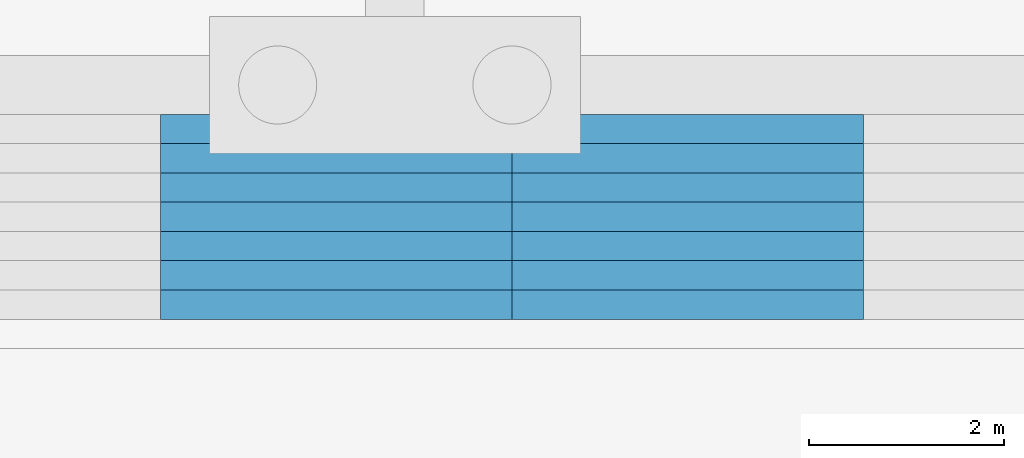
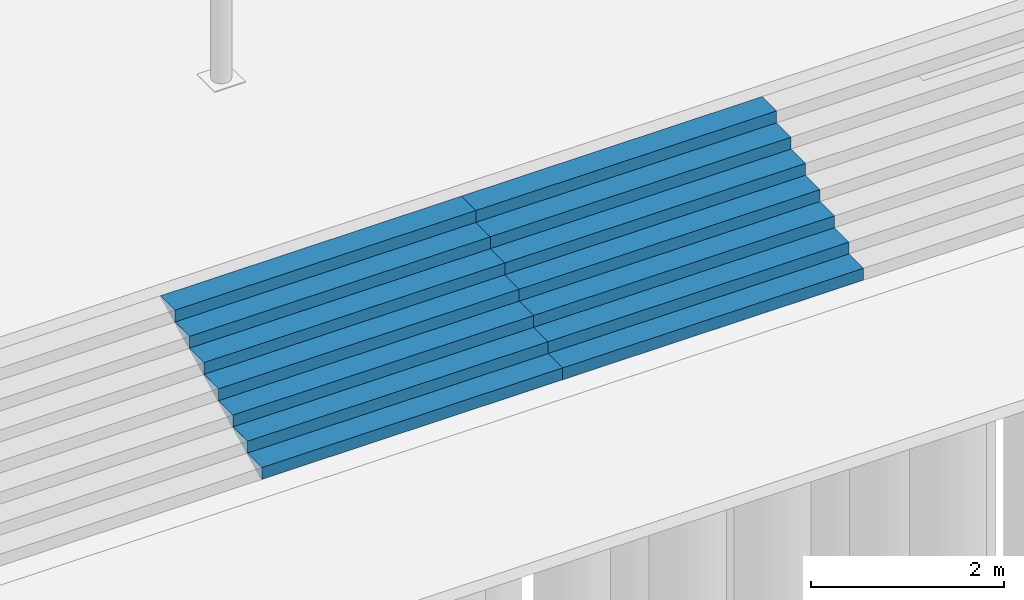
# One storey, part 77 of 129: 2 stair flights, 1 element without a shape of its own.
"""IFC4 building model written with IfcOpenShell, lengths in metres."""

from ifc_helpers import new_model, si_unit, direction, frame, origin, place, context, subcontext, project, spatial, faceted_brep, material, type_object, element, aggregate, save


model = new_model("IFC4")

# Units and contexts
model_context = context("Model", 3, precision=1e-05, world=origin(), true_north=direction((0.0, 1.0)))
body_context = subcontext(model_context, "Body", "Model", "MODEL_VIEW")
ifc_project = project(units=[si_unit("LENGTHUNIT", "METRE"), si_unit("AREAUNIT", "SQUARE_METRE"), si_unit("VOLUMEUNIT", "CUBIC_METRE"), si_unit("PLANEANGLEUNIT", "RADIAN"), si_unit("MASSUNIT", "GRAM", prefix="KILO")], contexts=[model_context])

# Site, building, storey
site_placement = place(None, origin())
site = spatial("IfcSite", under=ifc_project, at=site_placement, CompositionType="ELEMENT")
building_placement = place(site_placement, origin())
building = spatial("IfcBuilding", under=site, at=building_placement, Name="Kiln Court Media Centre", CompositionType="ELEMENT")
storey_placement = place(building_placement, origin())
storey = spatial("IfcBuildingStorey", under=building, at=storey_placement, Name="L00", CompositionType="ELEMENT", Elevation=0.0)

# Stair, stair flights
ifc_material_1 = material(Name="Concrete C30/37", Category="concrete")
stair_type = type_object("IfcStairType", Name="Concrete C30/37 forecourt steps", PredefinedType="STRAIGHT_RUN_STAIR", material=ifc_material_1)
stair_placement = place(storey_placement, origin())
stair = element("IfcStair", 1, at=stair_placement, inside=storey, type_object=stair_type, Name="Concrete C30/37 forecourt steps", PredefinedType="STRAIGHT_RUN_STAIR")
ifc_material_2 = material(Name="Concrete C30/37", Category="concrete")
stair_flight_type = type_object("IfcStairFlightType", Name="Concrete C30/37 forecourt steps flight", PredefinedType="STRAIGHT", material=ifc_material_2)
stair_flight_1_placement = place(storey_placement, frame((83.39990234375, 16.199951171875, -1.199951171875), z_axis=(0.0, 0.0, 1.0), x_axis=(0.0, 1.0, 0.0)))
stair_flight_1 = element("IfcStairFlight", 2, at=stair_flight_1_placement, type_object=stair_flight_type, Name="ST-E1 flight 5", NumberOfRisers=8, NumberOfTreads=7, PredefinedType="STRAIGHT", RiserHeight=0.15, TreadLength=0.3, context=body_context, shape_type="Brep", body=[
    faceted_brep([(0.044677734375, -1.800048828125, 0.0), (2.10009765625, -1.800048828125, 1.027587890625), (2.10009765625, -1.800048828125, 1.050048828125), (1.800048828125, -1.800048828125, 1.050048828125), (1.800048828125, -1.800048828125, 0.89990234375), (1.5, -1.800048828125, 0.89990234375), (1.5, -1.800048828125, 0.75), (1.199951171875, -1.800048828125, 0.75), (1.199951171875, -1.800048828125, 0.60009765625), (0.89990234375, -1.800048828125, 0.60009765625), (0.89990234375, -1.800048828125, 0.449951171875), (0.60009765625, -1.800048828125, 0.449951171875), (0.60009765625, -1.800048828125, 0.300048828125), (0.300048828125, -1.800048828125, 0.300048828125), (0.300048828125, -1.800048828125, 0.14990234375), (0.0, -1.800048828125, 0.14990234375), (0.0, -1.800048828125, 0.0), (0.0, 1.800048828125, 0.0), (0.0, 1.800048828125, 0.14990234375), (0.300048828125, 1.800048828125, 0.14990234375), (0.300048828125, 1.800048828125, 0.300048828125), (0.60009765625, 1.800048828125, 0.300048828125), (0.60009765625, 1.800048828125, 0.449951171875), (0.89990234375, 1.800048828125, 0.449951171875), (0.89990234375, 1.800048828125, 0.60009765625), (1.199951171875, 1.800048828125, 0.60009765625), (1.199951171875, 1.800048828125, 0.75), (1.5, 1.800048828125, 0.75), (1.5, 1.800048828125, 0.89990234375), (1.800048828125, 1.800048828125, 0.89990234375), (1.800048828125, 1.800048828125, 1.050048828125), (2.10009765625, 1.800048828125, 1.050048828125), (2.10009765625, 1.800048828125, 1.027587890625), (0.044677734375, 1.800048828125, 0.0), (2.10009765625, 0.10009765625, 1.027587890625), (0.044677734375, 0.10009765625, 0.0), (2.10009765625, 0.080078125, 1.027587890625), (0.044677734375, 0.080078125, 0.0), (2.10009765625, 0.06005859375, 1.027587890625), (0.044677734375, 0.06005859375, 0.0), (2.10009765625, 0.0400390625, 1.027587890625), (0.044677734375, 0.0400390625, 0.0), (2.10009765625, 0.02001953125, 1.027587890625), (0.044677734375, 0.02001953125, 0.0), (2.10009765625, 0.0, 1.027587890625), (0.044677734375, 0.0, 0.0), (2.10009765625, -0.02001953125, 1.027587890625), (0.044677734375, -0.02001953125, 0.0), (2.10009765625, -0.0400390625, 1.027587890625), (0.044677734375, -0.0400390625, 0.0), (2.10009765625, -0.06005859375, 1.027587890625), (0.044677734375, -0.06005859375, 0.0), (2.10009765625, -0.080078125, 1.027587890625), (0.044677734375, -0.080078125, 0.0), (2.10009765625, -0.10009765625, 1.027587890625), (0.044677734375, -0.10009765625, 0.0), (2.10009765625, 0.10009765625, 1.050048828125), (2.10009765625, 0.080078125, 1.050048828125), (2.10009765625, 0.06005859375, 1.050048828125), (2.10009765625, 0.0400390625, 1.050048828125), (2.10009765625, 0.02001953125, 1.050048828125), (2.10009765625, 0.0, 1.050048828125), (2.10009765625, -0.02001953125, 1.050048828125), (2.10009765625, -0.0400390625, 1.050048828125), (2.10009765625, -0.06005859375, 1.050048828125), (2.10009765625, -0.080078125, 1.050048828125), (2.10009765625, -0.10009765625, 1.050048828125), (1.800048828125, 0.10009765625, 1.050048828125), (1.800048828125, 0.080078125, 1.050048828125), (1.800048828125, 0.06005859375, 1.050048828125), (1.800048828125, 0.0400390625, 1.050048828125), (1.800048828125, 0.02001953125, 1.050048828125), (1.800048828125, 0.0, 1.050048828125), (1.800048828125, -0.02001953125, 1.050048828125), (1.800048828125, -0.0400390625, 1.050048828125), (1.800048828125, -0.06005859375, 1.050048828125), (1.800048828125, -0.080078125, 1.050048828125), (1.800048828125, -0.10009765625, 1.050048828125), (1.800048828125, 0.10009765625, 0.89990234375), (1.800048828125, 0.080078125, 0.89990234375), (1.800048828125, 0.06005859375, 0.89990234375), (1.800048828125, 0.0400390625, 0.89990234375), (1.800048828125, 0.02001953125, 0.89990234375), (1.800048828125, 0.0, 0.89990234375), (1.800048828125, -0.02001953125, 0.89990234375), (1.800048828125, -0.0400390625, 0.89990234375), (1.800048828125, -0.06005859375, 0.89990234375), (1.800048828125, -0.080078125, 0.89990234375), (1.800048828125, -0.10009765625, 0.89990234375), (1.5, 0.10009765625, 0.89990234375), (1.5, 0.080078125, 0.89990234375), (1.5, 0.06005859375, 0.89990234375), (1.5, 0.0400390625, 0.89990234375), (1.5, 0.02001953125, 0.89990234375), (1.5, 0.0, 0.89990234375), (1.5, -0.02001953125, 0.89990234375), (1.5, -0.0400390625, 0.89990234375), (1.5, -0.06005859375, 0.89990234375), (1.5, -0.080078125, 0.89990234375), (1.5, -0.10009765625, 0.89990234375), (1.5, 0.10009765625, 0.75), (1.5, 0.080078125, 0.75), (1.5, 0.06005859375, 0.75), (1.5, 0.0400390625, 0.75), (1.5, 0.02001953125, 0.75), (1.5, 0.0, 0.75), (1.5, -0.02001953125, 0.75), (1.5, -0.0400390625, 0.75), (1.5, -0.06005859375, 0.75), (1.5, -0.080078125, 0.75), (1.5, -0.10009765625, 0.75), (1.199951171875, 0.10009765625, 0.75), (1.199951171875, 0.080078125, 0.75), (1.199951171875, 0.06005859375, 0.75), (1.199951171875, 0.0400390625, 0.75), (1.199951171875, 0.02001953125, 0.75), (1.199951171875, 0.0, 0.75), (1.199951171875, -0.02001953125, 0.75), (1.199951171875, -0.0400390625, 0.75), (1.199951171875, -0.06005859375, 0.75), (1.199951171875, -0.080078125, 0.75), (1.199951171875, -0.10009765625, 0.75), (1.199951171875, 0.10009765625, 0.60009765625), (1.199951171875, 0.080078125, 0.60009765625), (1.199951171875, 0.06005859375, 0.60009765625), (1.199951171875, 0.0400390625, 0.60009765625), (1.199951171875, 0.02001953125, 0.60009765625), (1.199951171875, 0.0, 0.60009765625), (1.199951171875, -0.02001953125, 0.60009765625), (1.199951171875, -0.0400390625, 0.60009765625), (1.199951171875, -0.06005859375, 0.60009765625), (1.199951171875, -0.080078125, 0.60009765625), (1.199951171875, -0.10009765625, 0.60009765625), (0.89990234375, 0.10009765625, 0.60009765625), (0.89990234375, 0.080078125, 0.60009765625), (0.89990234375, 0.06005859375, 0.60009765625), (0.89990234375, 0.0400390625, 0.60009765625), (0.89990234375, 0.02001953125, 0.60009765625), (0.89990234375, 0.0, 0.60009765625), (0.89990234375, -0.02001953125, 0.60009765625), (0.89990234375, -0.0400390625, 0.60009765625), (0.89990234375, -0.06005859375, 0.60009765625), (0.89990234375, -0.080078125, 0.60009765625), (0.89990234375, -0.10009765625, 0.60009765625), (0.89990234375, 0.10009765625, 0.449951171875), (0.89990234375, 0.080078125, 0.449951171875), (0.89990234375, 0.06005859375, 0.449951171875), (0.89990234375, 0.0400390625, 0.449951171875), (0.89990234375, 0.02001953125, 0.449951171875), (0.89990234375, 0.0, 0.449951171875), (0.89990234375, -0.02001953125, 0.449951171875), (0.89990234375, -0.0400390625, 0.449951171875), (0.89990234375, -0.06005859375, 0.449951171875), (0.89990234375, -0.080078125, 0.449951171875), (0.89990234375, -0.10009765625, 0.449951171875), (0.60009765625, 0.10009765625, 0.449951171875), (0.60009765625, 0.080078125, 0.449951171875), (0.60009765625, 0.06005859375, 0.449951171875), (0.60009765625, 0.0400390625, 0.449951171875), (0.60009765625, 0.02001953125, 0.449951171875), (0.60009765625, 0.0, 0.449951171875), (0.60009765625, -0.02001953125, 0.449951171875), (0.60009765625, -0.0400390625, 0.449951171875), (0.60009765625, -0.06005859375, 0.449951171875), (0.60009765625, -0.080078125, 0.449951171875), (0.60009765625, -0.10009765625, 0.449951171875), (0.60009765625, 0.10009765625, 0.300048828125), (0.60009765625, 0.080078125, 0.300048828125), (0.60009765625, 0.06005859375, 0.300048828125), (0.60009765625, 0.0400390625, 0.300048828125), (0.60009765625, 0.02001953125, 0.300048828125), (0.60009765625, 0.0, 0.300048828125), (0.60009765625, -0.02001953125, 0.300048828125), (0.60009765625, -0.0400390625, 0.300048828125), (0.60009765625, -0.06005859375, 0.300048828125), (0.60009765625, -0.080078125, 0.300048828125), (0.60009765625, -0.10009765625, 0.300048828125), (0.300048828125, 0.10009765625, 0.300048828125), (0.300048828125, 0.080078125, 0.300048828125), (0.300048828125, 0.06005859375, 0.300048828125), (0.300048828125, 0.0400390625, 0.300048828125), (0.300048828125, 0.02001953125, 0.300048828125), (0.300048828125, 0.0, 0.300048828125), (0.300048828125, -0.02001953125, 0.300048828125), (0.300048828125, -0.0400390625, 0.300048828125), (0.300048828125, -0.06005859375, 0.300048828125), (0.300048828125, -0.080078125, 0.300048828125), (0.300048828125, -0.10009765625, 0.300048828125), (0.300048828125, 0.10009765625, 0.14990234375), (0.300048828125, 0.080078125, 0.14990234375), (0.300048828125, 0.06005859375, 0.14990234375), (0.300048828125, 0.0400390625, 0.14990234375), (0.300048828125, 0.02001953125, 0.14990234375), (0.300048828125, 0.0, 0.14990234375), (0.300048828125, -0.02001953125, 0.14990234375), (0.300048828125, -0.0400390625, 0.14990234375), (0.300048828125, -0.06005859375, 0.14990234375), (0.300048828125, -0.080078125, 0.14990234375), (0.300048828125, -0.10009765625, 0.14990234375), (0.0, 0.10009765625, 0.14990234375), (0.0, 0.080078125, 0.14990234375), (0.0, 0.06005859375, 0.14990234375), (0.0, 0.0400390625, 0.14990234375), (0.0, 0.02001953125, 0.14990234375), (0.0, 0.0, 0.14990234375), (0.0, -0.02001953125, 0.14990234375), (0.0, -0.0400390625, 0.14990234375), (0.0, -0.06005859375, 0.14990234375), (0.0, -0.080078125, 0.14990234375), (0.0, -0.10009765625, 0.14990234375), (0.0, 0.10009765625, 0.0), (0.0, 0.080078125, 0.0), (0.0, 0.06005859375, 0.0), (0.0, 0.0400390625, 0.0), (0.0, 0.02001953125, 0.0), (0.0, 0.0, 0.0), (0.0, -0.02001953125, 0.0), (0.0, -0.0400390625, 0.0), (0.0, -0.06005859375, 0.0), (0.0, -0.080078125, 0.0), (0.0, -0.10009765625, 0.0)], [[[0, 1, 2, 3, 4, 5, 6, 7, 8, 9, 10, 11, 12, 13, 14, 15, 16]], [[17, 18, 19, 20, 21, 22, 23, 24, 25, 26, 27, 28, 29, 30, 31, 32, 33]], [[33, 32, 34, 35]], [[35, 34, 36, 37]], [[37, 36, 38, 39]], [[39, 38, 40, 41]], [[41, 40, 42, 43]], [[43, 42, 44, 45]], [[45, 44, 46, 47]], [[47, 46, 48, 49]], [[49, 48, 50, 51]], [[51, 50, 52, 53]], [[53, 52, 54, 55]], [[55, 54, 1, 0]], [[32, 31, 56, 34]], [[34, 56, 57, 36]], [[36, 57, 58, 38]], [[38, 58, 59, 40]], [[40, 59, 60, 42]], [[42, 60, 61, 44]], [[44, 61, 62, 46]], [[46, 62, 63, 48]], [[48, 63, 64, 50]], [[50, 64, 65, 52]], [[52, 65, 66, 54]], [[54, 66, 2, 1]], [[31, 30, 67, 56]], [[56, 67, 68, 57]], [[57, 68, 69, 58]], [[58, 69, 70, 59]], [[59, 70, 71, 60]], [[60, 71, 72, 61]], [[61, 72, 73, 62]], [[62, 73, 74, 63]], [[63, 74, 75, 64]], [[64, 75, 76, 65]], [[65, 76, 77, 66]], [[66, 77, 3, 2]], [[30, 29, 78, 67]], [[67, 78, 79, 68]], [[68, 79, 80, 69]], [[69, 80, 81, 70]], [[70, 81, 82, 71]], [[71, 82, 83, 72]], [[72, 83, 84, 73]], [[73, 84, 85, 74]], [[74, 85, 86, 75]], [[75, 86, 87, 76]], [[76, 87, 88, 77]], [[77, 88, 4, 3]], [[29, 28, 89, 78]], [[78, 89, 90, 79]], [[79, 90, 91, 80]], [[80, 91, 92, 81]], [[81, 92, 93, 82]], [[82, 93, 94, 83]], [[83, 94, 95, 84]], [[84, 95, 96, 85]], [[85, 96, 97, 86]], [[86, 97, 98, 87]], [[87, 98, 99, 88]], [[88, 99, 5, 4]], [[28, 27, 100, 89]], [[89, 100, 101, 90]], [[90, 101, 102, 91]], [[91, 102, 103, 92]], [[92, 103, 104, 93]], [[93, 104, 105, 94]], [[94, 105, 106, 95]], [[95, 106, 107, 96]], [[96, 107, 108, 97]], [[97, 108, 109, 98]], [[98, 109, 110, 99]], [[99, 110, 6, 5]], [[27, 26, 111, 100]], [[100, 111, 112, 101]], [[101, 112, 113, 102]], [[102, 113, 114, 103]], [[103, 114, 115, 104]], [[104, 115, 116, 105]], [[105, 116, 117, 106]], [[106, 117, 118, 107]], [[107, 118, 119, 108]], [[108, 119, 120, 109]], [[109, 120, 121, 110]], [[110, 121, 7, 6]], [[26, 25, 122, 111]], [[111, 122, 123, 112]], [[112, 123, 124, 113]], [[113, 124, 125, 114]], [[114, 125, 126, 115]], [[115, 126, 127, 116]], [[116, 127, 128, 117]], [[117, 128, 129, 118]], [[118, 129, 130, 119]], [[119, 130, 131, 120]], [[120, 131, 132, 121]], [[121, 132, 8, 7]], [[25, 24, 133, 122]], [[122, 133, 134, 123]], [[123, 134, 135, 124]], [[124, 135, 136, 125]], [[125, 136, 137, 126]], [[126, 137, 138, 127]], [[127, 138, 139, 128]], [[128, 139, 140, 129]], [[129, 140, 141, 130]], [[130, 141, 142, 131]], [[131, 142, 143, 132]], [[132, 143, 9, 8]], [[24, 23, 144, 133]], [[133, 144, 145, 134]], [[134, 145, 146, 135]], [[135, 146, 147, 136]], [[136, 147, 148, 137]], [[137, 148, 149, 138]], [[138, 149, 150, 139]], [[139, 150, 151, 140]], [[140, 151, 152, 141]], [[141, 152, 153, 142]], [[142, 153, 154, 143]], [[143, 154, 10, 9]], [[23, 22, 155, 144]], [[144, 155, 156, 145]], [[145, 156, 157, 146]], [[146, 157, 158, 147]], [[147, 158, 159, 148]], [[148, 159, 160, 149]], [[149, 160, 161, 150]], [[150, 161, 162, 151]], [[151, 162, 163, 152]], [[152, 163, 164, 153]], [[153, 164, 165, 154]], [[154, 165, 11, 10]], [[22, 21, 166, 155]], [[155, 166, 167, 156]], [[156, 167, 168, 157]], [[157, 168, 169, 158]], [[158, 169, 170, 159]], [[159, 170, 171, 160]], [[160, 171, 172, 161]], [[161, 172, 173, 162]], [[162, 173, 174, 163]], [[163, 174, 175, 164]], [[164, 175, 176, 165]], [[165, 176, 12, 11]], [[21, 20, 177, 166]], [[166, 177, 178, 167]], [[167, 178, 179, 168]], [[168, 179, 180, 169]], [[169, 180, 181, 170]], [[170, 181, 182, 171]], [[171, 182, 183, 172]], [[172, 183, 184, 173]], [[173, 184, 185, 174]], [[174, 185, 186, 175]], [[175, 186, 187, 176]], [[176, 187, 13, 12]], [[20, 19, 188, 177]], [[177, 188, 189, 178]], [[178, 189, 190, 179]], [[179, 190, 191, 180]], [[180, 191, 192, 181]], [[181, 192, 193, 182]], [[182, 193, 194, 183]], [[183, 194, 195, 184]], [[184, 195, 196, 185]], [[185, 196, 197, 186]], [[186, 197, 198, 187]], [[187, 198, 14, 13]], [[19, 18, 199, 188]], [[188, 199, 200, 189]], [[189, 200, 201, 190]], [[190, 201, 202, 191]], [[191, 202, 203, 192]], [[192, 203, 204, 193]], [[193, 204, 205, 194]], [[194, 205, 206, 195]], [[195, 206, 207, 196]], [[196, 207, 208, 197]], [[197, 208, 209, 198]], [[198, 209, 15, 14]], [[18, 17, 210, 199]], [[199, 210, 211, 200]], [[200, 211, 212, 201]], [[201, 212, 213, 202]], [[202, 213, 214, 203]], [[203, 214, 215, 204]], [[204, 215, 216, 205]], [[205, 216, 217, 206]], [[206, 217, 218, 207]], [[207, 218, 219, 208]], [[208, 219, 220, 209]], [[209, 220, 16, 15]], [[17, 33, 35, 210]], [[210, 35, 37, 211]], [[211, 37, 39, 212]], [[212, 39, 41, 213]], [[213, 41, 43, 214]], [[214, 43, 45, 215]], [[215, 45, 47, 216]], [[216, 47, 49, 217]], [[217, 49, 51, 218]], [[218, 51, 53, 219]], [[219, 53, 55, 220]], [[220, 55, 0, 16]]]),
])
stair_flight_2_placement = place(storey_placement, frame((87.0, 16.199951171875, -1.199951171875), z_axis=(0.0, 0.0, 1.0), x_axis=(0.0, 1.0, 0.0)))
stair_flight_2 = element("IfcStairFlight", 3, at=stair_flight_2_placement, type_object=stair_flight_type, Name="ST-E1 flight 6", NumberOfRisers=8, NumberOfTreads=7, PredefinedType="STRAIGHT", RiserHeight=0.15, TreadLength=0.3, context=body_context, shape_type="Brep", body=[
    faceted_brep([(0.044677734375, -1.800048828125, 0.0), (2.10009765625, -1.800048828125, 1.027587890625), (2.10009765625, -1.800048828125, 1.050048828125), (1.800048828125, -1.800048828125, 1.050048828125), (1.800048828125, -1.800048828125, 0.89990234375), (1.5, -1.800048828125, 0.89990234375), (1.5, -1.800048828125, 0.75), (1.199951171875, -1.800048828125, 0.75), (1.199951171875, -1.800048828125, 0.60009765625), (0.89990234375, -1.800048828125, 0.60009765625), (0.89990234375, -1.800048828125, 0.449951171875), (0.60009765625, -1.800048828125, 0.449951171875), (0.60009765625, -1.800048828125, 0.300048828125), (0.300048828125, -1.800048828125, 0.300048828125), (0.300048828125, -1.800048828125, 0.14990234375), (0.0, -1.800048828125, 0.14990234375), (0.0, -1.800048828125, 0.0), (0.0, 1.800048828125, 0.0), (0.0, 1.800048828125, 0.14990234375), (0.300048828125, 1.800048828125, 0.14990234375), (0.300048828125, 1.800048828125, 0.300048828125), (0.60009765625, 1.800048828125, 0.300048828125), (0.60009765625, 1.800048828125, 0.449951171875), (0.89990234375, 1.800048828125, 0.449951171875), (0.89990234375, 1.800048828125, 0.60009765625), (1.199951171875, 1.800048828125, 0.60009765625), (1.199951171875, 1.800048828125, 0.75), (1.5, 1.800048828125, 0.75), (1.5, 1.800048828125, 0.89990234375), (1.800048828125, 1.800048828125, 0.89990234375), (1.800048828125, 1.800048828125, 1.050048828125), (2.10009765625, 1.800048828125, 1.050048828125), (2.10009765625, 1.800048828125, 1.027587890625), (0.044677734375, 1.800048828125, 0.0), (2.10009765625, 0.10009765625, 1.027587890625), (0.044677734375, 0.10009765625, 0.0), (2.10009765625, 0.080078125, 1.027587890625), (0.044677734375, 0.080078125, 0.0), (2.10009765625, 0.06005859375, 1.027587890625), (0.044677734375, 0.06005859375, 0.0), (2.10009765625, 0.0400390625, 1.027587890625), (0.044677734375, 0.0400390625, 0.0), (2.10009765625, 0.02001953125, 1.027587890625), (0.044677734375, 0.02001953125, 0.0), (2.10009765625, 0.0, 1.027587890625), (0.044677734375, 0.0, 0.0), (2.10009765625, -0.02001953125, 1.027587890625), (0.044677734375, -0.02001953125, 0.0), (2.10009765625, -0.0400390625, 1.027587890625), (0.044677734375, -0.0400390625, 0.0), (2.10009765625, -0.06005859375, 1.027587890625), (0.044677734375, -0.06005859375, 0.0), (2.10009765625, -0.080078125, 1.027587890625), (0.044677734375, -0.080078125, 0.0), (2.10009765625, -0.10009765625, 1.027587890625), (0.044677734375, -0.10009765625, 0.0), (2.10009765625, 0.10009765625, 1.050048828125), (2.10009765625, 0.080078125, 1.050048828125), (2.10009765625, 0.06005859375, 1.050048828125), (2.10009765625, 0.0400390625, 1.050048828125), (2.10009765625, 0.02001953125, 1.050048828125), (2.10009765625, 0.0, 1.050048828125), (2.10009765625, -0.02001953125, 1.050048828125), (2.10009765625, -0.0400390625, 1.050048828125), (2.10009765625, -0.06005859375, 1.050048828125), (2.10009765625, -0.080078125, 1.050048828125), (2.10009765625, -0.10009765625, 1.050048828125), (1.800048828125, 0.10009765625, 1.050048828125), (1.800048828125, 0.080078125, 1.050048828125), (1.800048828125, 0.06005859375, 1.050048828125), (1.800048828125, 0.0400390625, 1.050048828125), (1.800048828125, 0.02001953125, 1.050048828125), (1.800048828125, 0.0, 1.050048828125), (1.800048828125, -0.02001953125, 1.050048828125), (1.800048828125, -0.0400390625, 1.050048828125), (1.800048828125, -0.06005859375, 1.050048828125), (1.800048828125, -0.080078125, 1.050048828125), (1.800048828125, -0.10009765625, 1.050048828125), (1.800048828125, 0.10009765625, 0.89990234375), (1.800048828125, 0.080078125, 0.89990234375), (1.800048828125, 0.06005859375, 0.89990234375), (1.800048828125, 0.0400390625, 0.89990234375), (1.800048828125, 0.02001953125, 0.89990234375), (1.800048828125, 0.0, 0.89990234375), (1.800048828125, -0.02001953125, 0.89990234375), (1.800048828125, -0.0400390625, 0.89990234375), (1.800048828125, -0.06005859375, 0.89990234375), (1.800048828125, -0.080078125, 0.89990234375), (1.800048828125, -0.10009765625, 0.89990234375), (1.5, 0.10009765625, 0.89990234375), (1.5, 0.080078125, 0.89990234375), (1.5, 0.06005859375, 0.89990234375), (1.5, 0.0400390625, 0.89990234375), (1.5, 0.02001953125, 0.89990234375), (1.5, 0.0, 0.89990234375), (1.5, -0.02001953125, 0.89990234375), (1.5, -0.0400390625, 0.89990234375), (1.5, -0.06005859375, 0.89990234375), (1.5, -0.080078125, 0.89990234375), (1.5, -0.10009765625, 0.89990234375), (1.5, 0.10009765625, 0.75), (1.5, 0.080078125, 0.75), (1.5, 0.06005859375, 0.75), (1.5, 0.0400390625, 0.75), (1.5, 0.02001953125, 0.75), (1.5, 0.0, 0.75), (1.5, -0.02001953125, 0.75), (1.5, -0.0400390625, 0.75), (1.5, -0.06005859375, 0.75), (1.5, -0.080078125, 0.75), (1.5, -0.10009765625, 0.75), (1.199951171875, 0.10009765625, 0.75), (1.199951171875, 0.080078125, 0.75), (1.199951171875, 0.06005859375, 0.75), (1.199951171875, 0.0400390625, 0.75), (1.199951171875, 0.02001953125, 0.75), (1.199951171875, 0.0, 0.75), (1.199951171875, -0.02001953125, 0.75), (1.199951171875, -0.0400390625, 0.75), (1.199951171875, -0.06005859375, 0.75), (1.199951171875, -0.080078125, 0.75), (1.199951171875, -0.10009765625, 0.75), (1.199951171875, 0.10009765625, 0.60009765625), (1.199951171875, 0.080078125, 0.60009765625), (1.199951171875, 0.06005859375, 0.60009765625), (1.199951171875, 0.0400390625, 0.60009765625), (1.199951171875, 0.02001953125, 0.60009765625), (1.199951171875, 0.0, 0.60009765625), (1.199951171875, -0.02001953125, 0.60009765625), (1.199951171875, -0.0400390625, 0.60009765625), (1.199951171875, -0.06005859375, 0.60009765625), (1.199951171875, -0.080078125, 0.60009765625), (1.199951171875, -0.10009765625, 0.60009765625), (0.89990234375, 0.10009765625, 0.60009765625), (0.89990234375, 0.080078125, 0.60009765625), (0.89990234375, 0.06005859375, 0.60009765625), (0.89990234375, 0.0400390625, 0.60009765625), (0.89990234375, 0.02001953125, 0.60009765625), (0.89990234375, 0.0, 0.60009765625), (0.89990234375, -0.02001953125, 0.60009765625), (0.89990234375, -0.0400390625, 0.60009765625), (0.89990234375, -0.06005859375, 0.60009765625), (0.89990234375, -0.080078125, 0.60009765625), (0.89990234375, -0.10009765625, 0.60009765625), (0.89990234375, 0.10009765625, 0.449951171875), (0.89990234375, 0.080078125, 0.449951171875), (0.89990234375, 0.06005859375, 0.449951171875), (0.89990234375, 0.0400390625, 0.449951171875), (0.89990234375, 0.02001953125, 0.449951171875), (0.89990234375, 0.0, 0.449951171875), (0.89990234375, -0.02001953125, 0.449951171875), (0.89990234375, -0.0400390625, 0.449951171875), (0.89990234375, -0.06005859375, 0.449951171875), (0.89990234375, -0.080078125, 0.449951171875), (0.89990234375, -0.10009765625, 0.449951171875), (0.60009765625, 0.10009765625, 0.449951171875), (0.60009765625, 0.080078125, 0.449951171875), (0.60009765625, 0.06005859375, 0.449951171875), (0.60009765625, 0.0400390625, 0.449951171875), (0.60009765625, 0.02001953125, 0.449951171875), (0.60009765625, 0.0, 0.449951171875), (0.60009765625, -0.02001953125, 0.449951171875), (0.60009765625, -0.0400390625, 0.449951171875), (0.60009765625, -0.06005859375, 0.449951171875), (0.60009765625, -0.080078125, 0.449951171875), (0.60009765625, -0.10009765625, 0.449951171875), (0.60009765625, 0.10009765625, 0.300048828125), (0.60009765625, 0.080078125, 0.300048828125), (0.60009765625, 0.06005859375, 0.300048828125), (0.60009765625, 0.0400390625, 0.300048828125), (0.60009765625, 0.02001953125, 0.300048828125), (0.60009765625, 0.0, 0.300048828125), (0.60009765625, -0.02001953125, 0.300048828125), (0.60009765625, -0.0400390625, 0.300048828125), (0.60009765625, -0.06005859375, 0.300048828125), (0.60009765625, -0.080078125, 0.300048828125), (0.60009765625, -0.10009765625, 0.300048828125), (0.300048828125, 0.10009765625, 0.300048828125), (0.300048828125, 0.080078125, 0.300048828125), (0.300048828125, 0.06005859375, 0.300048828125), (0.300048828125, 0.0400390625, 0.300048828125), (0.300048828125, 0.02001953125, 0.300048828125), (0.300048828125, 0.0, 0.300048828125), (0.300048828125, -0.02001953125, 0.300048828125), (0.300048828125, -0.0400390625, 0.300048828125), (0.300048828125, -0.06005859375, 0.300048828125), (0.300048828125, -0.080078125, 0.300048828125), (0.300048828125, -0.10009765625, 0.300048828125), (0.300048828125, 0.10009765625, 0.14990234375), (0.300048828125, 0.080078125, 0.14990234375), (0.300048828125, 0.06005859375, 0.14990234375), (0.300048828125, 0.0400390625, 0.14990234375), (0.300048828125, 0.02001953125, 0.14990234375), (0.300048828125, 0.0, 0.14990234375), (0.300048828125, -0.02001953125, 0.14990234375), (0.300048828125, -0.0400390625, 0.14990234375), (0.300048828125, -0.06005859375, 0.14990234375), (0.300048828125, -0.080078125, 0.14990234375), (0.300048828125, -0.10009765625, 0.14990234375), (0.0, 0.10009765625, 0.14990234375), (0.0, 0.080078125, 0.14990234375), (0.0, 0.06005859375, 0.14990234375), (0.0, 0.0400390625, 0.14990234375), (0.0, 0.02001953125, 0.14990234375), (0.0, 0.0, 0.14990234375), (0.0, -0.02001953125, 0.14990234375), (0.0, -0.0400390625, 0.14990234375), (0.0, -0.06005859375, 0.14990234375), (0.0, -0.080078125, 0.14990234375), (0.0, -0.10009765625, 0.14990234375), (0.0, 0.10009765625, 0.0), (0.0, 0.080078125, 0.0), (0.0, 0.06005859375, 0.0), (0.0, 0.0400390625, 0.0), (0.0, 0.02001953125, 0.0), (0.0, 0.0, 0.0), (0.0, -0.02001953125, 0.0), (0.0, -0.0400390625, 0.0), (0.0, -0.06005859375, 0.0), (0.0, -0.080078125, 0.0), (0.0, -0.10009765625, 0.0)], [[[0, 1, 2, 3, 4, 5, 6, 7, 8, 9, 10, 11, 12, 13, 14, 15, 16]], [[17, 18, 19, 20, 21, 22, 23, 24, 25, 26, 27, 28, 29, 30, 31, 32, 33]], [[33, 32, 34, 35]], [[35, 34, 36, 37]], [[37, 36, 38, 39]], [[39, 38, 40, 41]], [[41, 40, 42, 43]], [[43, 42, 44, 45]], [[45, 44, 46, 47]], [[47, 46, 48, 49]], [[49, 48, 50, 51]], [[51, 50, 52, 53]], [[53, 52, 54, 55]], [[55, 54, 1, 0]], [[32, 31, 56, 34]], [[34, 56, 57, 36]], [[36, 57, 58, 38]], [[38, 58, 59, 40]], [[40, 59, 60, 42]], [[42, 60, 61, 44]], [[44, 61, 62, 46]], [[46, 62, 63, 48]], [[48, 63, 64, 50]], [[50, 64, 65, 52]], [[52, 65, 66, 54]], [[54, 66, 2, 1]], [[31, 30, 67, 56]], [[56, 67, 68, 57]], [[57, 68, 69, 58]], [[58, 69, 70, 59]], [[59, 70, 71, 60]], [[60, 71, 72, 61]], [[61, 72, 73, 62]], [[62, 73, 74, 63]], [[63, 74, 75, 64]], [[64, 75, 76, 65]], [[65, 76, 77, 66]], [[66, 77, 3, 2]], [[30, 29, 78, 67]], [[67, 78, 79, 68]], [[68, 79, 80, 69]], [[69, 80, 81, 70]], [[70, 81, 82, 71]], [[71, 82, 83, 72]], [[72, 83, 84, 73]], [[73, 84, 85, 74]], [[74, 85, 86, 75]], [[75, 86, 87, 76]], [[76, 87, 88, 77]], [[77, 88, 4, 3]], [[29, 28, 89, 78]], [[78, 89, 90, 79]], [[79, 90, 91, 80]], [[80, 91, 92, 81]], [[81, 92, 93, 82]], [[82, 93, 94, 83]], [[83, 94, 95, 84]], [[84, 95, 96, 85]], [[85, 96, 97, 86]], [[86, 97, 98, 87]], [[87, 98, 99, 88]], [[88, 99, 5, 4]], [[28, 27, 100, 89]], [[89, 100, 101, 90]], [[90, 101, 102, 91]], [[91, 102, 103, 92]], [[92, 103, 104, 93]], [[93, 104, 105, 94]], [[94, 105, 106, 95]], [[95, 106, 107, 96]], [[96, 107, 108, 97]], [[97, 108, 109, 98]], [[98, 109, 110, 99]], [[99, 110, 6, 5]], [[27, 26, 111, 100]], [[100, 111, 112, 101]], [[101, 112, 113, 102]], [[102, 113, 114, 103]], [[103, 114, 115, 104]], [[104, 115, 116, 105]], [[105, 116, 117, 106]], [[106, 117, 118, 107]], [[107, 118, 119, 108]], [[108, 119, 120, 109]], [[109, 120, 121, 110]], [[110, 121, 7, 6]], [[26, 25, 122, 111]], [[111, 122, 123, 112]], [[112, 123, 124, 113]], [[113, 124, 125, 114]], [[114, 125, 126, 115]], [[115, 126, 127, 116]], [[116, 127, 128, 117]], [[117, 128, 129, 118]], [[118, 129, 130, 119]], [[119, 130, 131, 120]], [[120, 131, 132, 121]], [[121, 132, 8, 7]], [[25, 24, 133, 122]], [[122, 133, 134, 123]], [[123, 134, 135, 124]], [[124, 135, 136, 125]], [[125, 136, 137, 126]], [[126, 137, 138, 127]], [[127, 138, 139, 128]], [[128, 139, 140, 129]], [[129, 140, 141, 130]], [[130, 141, 142, 131]], [[131, 142, 143, 132]], [[132, 143, 9, 8]], [[24, 23, 144, 133]], [[133, 144, 145, 134]], [[134, 145, 146, 135]], [[135, 146, 147, 136]], [[136, 147, 148, 137]], [[137, 148, 149, 138]], [[138, 149, 150, 139]], [[139, 150, 151, 140]], [[140, 151, 152, 141]], [[141, 152, 153, 142]], [[142, 153, 154, 143]], [[143, 154, 10, 9]], [[23, 22, 155, 144]], [[144, 155, 156, 145]], [[145, 156, 157, 146]], [[146, 157, 158, 147]], [[147, 158, 159, 148]], [[148, 159, 160, 149]], [[149, 160, 161, 150]], [[150, 161, 162, 151]], [[151, 162, 163, 152]], [[152, 163, 164, 153]], [[153, 164, 165, 154]], [[154, 165, 11, 10]], [[22, 21, 166, 155]], [[155, 166, 167, 156]], [[156, 167, 168, 157]], [[157, 168, 169, 158]], [[158, 169, 170, 159]], [[159, 170, 171, 160]], [[160, 171, 172, 161]], [[161, 172, 173, 162]], [[162, 173, 174, 163]], [[163, 174, 175, 164]], [[164, 175, 176, 165]], [[165, 176, 12, 11]], [[21, 20, 177, 166]], [[166, 177, 178, 167]], [[167, 178, 179, 168]], [[168, 179, 180, 169]], [[169, 180, 181, 170]], [[170, 181, 182, 171]], [[171, 182, 183, 172]], [[172, 183, 184, 173]], [[173, 184, 185, 174]], [[174, 185, 186, 175]], [[175, 186, 187, 176]], [[176, 187, 13, 12]], [[20, 19, 188, 177]], [[177, 188, 189, 178]], [[178, 189, 190, 179]], [[179, 190, 191, 180]], [[180, 191, 192, 181]], [[181, 192, 193, 182]], [[182, 193, 194, 183]], [[183, 194, 195, 184]], [[184, 195, 196, 185]], [[185, 196, 197, 186]], [[186, 197, 198, 187]], [[187, 198, 14, 13]], [[19, 18, 199, 188]], [[188, 199, 200, 189]], [[189, 200, 201, 190]], [[190, 201, 202, 191]], [[191, 202, 203, 192]], [[192, 203, 204, 193]], [[193, 204, 205, 194]], [[194, 205, 206, 195]], [[195, 206, 207, 196]], [[196, 207, 208, 197]], [[197, 208, 209, 198]], [[198, 209, 15, 14]], [[18, 17, 210, 199]], [[199, 210, 211, 200]], [[200, 211, 212, 201]], [[201, 212, 213, 202]], [[202, 213, 214, 203]], [[203, 214, 215, 204]], [[204, 215, 216, 205]], [[205, 216, 217, 206]], [[206, 217, 218, 207]], [[207, 218, 219, 208]], [[208, 219, 220, 209]], [[209, 220, 16, 15]], [[17, 33, 35, 210]], [[210, 35, 37, 211]], [[211, 37, 39, 212]], [[212, 39, 41, 213]], [[213, 41, 43, 214]], [[214, 43, 45, 215]], [[215, 45, 47, 216]], [[216, 47, 49, 217]], [[217, 49, 51, 218]], [[218, 51, 53, 219]], [[219, 53, 55, 220]], [[220, 55, 0, 16]]]),
])
aggregate(stair, [stair_flight_1, stair_flight_2])

save(model, "model.ifc")
